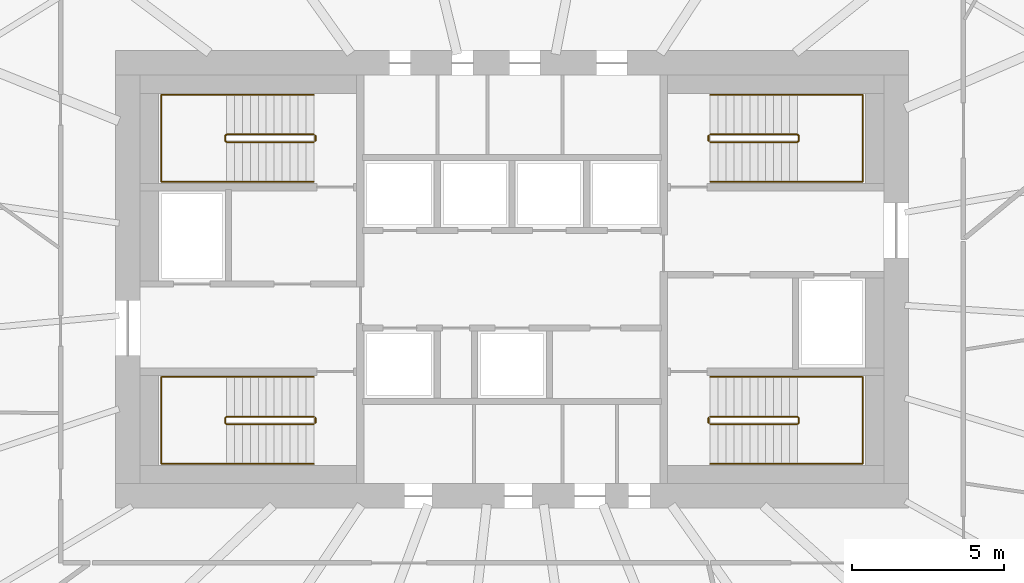
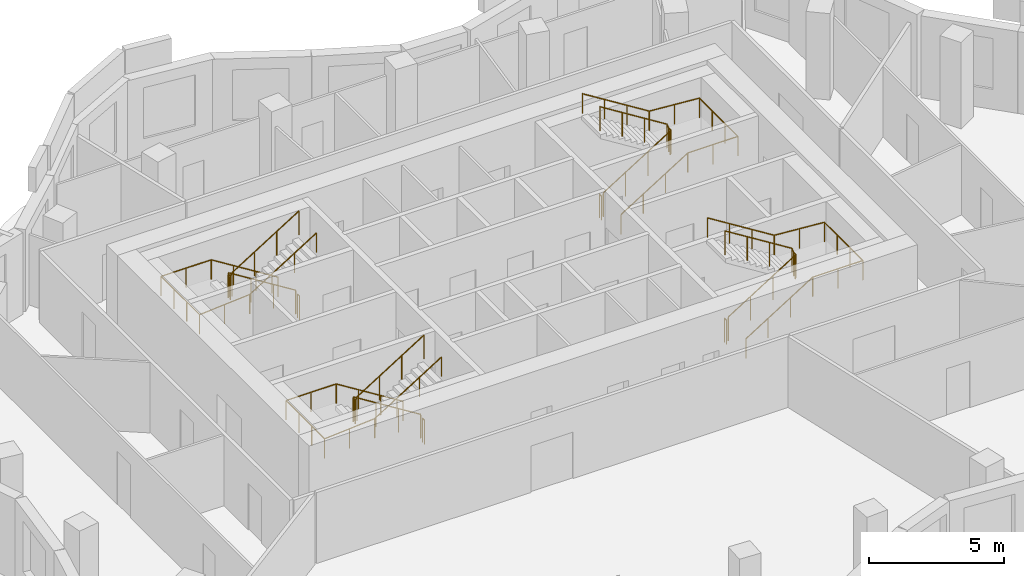
# One storey, part 9 of 9: 12 railings.
"""IFC4 building model written with IfcOpenShell, lengths in metres."""

from ifc_helpers import new_model, si_unit, direction, frame, origin, origin_2d, place, context, subcontext, project, spatial, circle, extrude, material, type_object, element, save


model = new_model("IFC4")

# Units and contexts
model_context = context("Model", 3, precision=1e-05, world=origin(), true_north=direction((0.0, 1.0)))
body_context = subcontext(model_context, "Body", "Model", "MODEL_VIEW")
ifc_project = project(units=[si_unit("LENGTHUNIT", "METRE"), si_unit("AREAUNIT", "SQUARE_METRE"), si_unit("VOLUMEUNIT", "CUBIC_METRE"), si_unit("PLANEANGLEUNIT", "RADIAN"), si_unit("MASSUNIT", "GRAM", prefix="KILO")], contexts=[model_context])

# Site, building, storey
site_placement = place(None, origin())
site = spatial("IfcSite", under=ifc_project, at=site_placement, CompositionType="ELEMENT")
building_placement = place(site_placement, origin())
building = spatial("IfcBuilding", under=site, at=building_placement, Name="Rubra Terraces Tower", CompositionType="ELEMENT")
storey_placement = place(building_placement, frame((0.0, 0.0, 272.699951171875)))
storey = spatial("IfcBuildingStorey", under=building, at=storey_placement, Name="L67", CompositionType="ELEMENT", Elevation=272.699951171875)

# Railings
ifc_material = material(Name="Stainless steel", Category="steel")
railing_type_1 = type_object("IfcRailingType", Name="Core stair guard 1100", PredefinedType="GUARDRAIL", material=ifc_material)
railing_1_placement = place(storey_placement, frame((-6.5, 0.0, 0.16259765625)))
element("IfcRailing", 1, at=railing_1_placement, inside=storey, type_object=railing_type_1, Name="L67 stair S1 guard 1", PredefinedType="GUARDRAIL", context=body_context, shape_type="SweptSolid", body=[
    extrude(circle(Radius=0.02392578125, at=origin_2d()), frame((0.0, 0.0, 1.076171875), z_axis=(-0.848026770018, 0.0, 0.529953391661), x_axis=(0.0, -1.0, 0.0)), (0.0, 0.0, 1.0), 3.37255859375),
    extrude(circle(Radius=0.02392578125, at=origin_2d()), frame((-2.860107421875, 0.0, 2.86328125), z_axis=(-0.705375805398, -0.708833529934, 0.0), x_axis=(0.708833529934, -0.705375805398, 0.0)), (0.0, 0.0, 1.0), 0.070556640625),
    extrude(circle(Radius=0.02392578125, at=origin_2d()), frame((-2.909912109375, -0.050048828125, 2.86328125), z_axis=(0.0, -1.0, 0.0), x_axis=(1.0, 0.0, 0.0)), (0.0, 0.0, 1.0), 0.14990234375),
    extrude(circle(Radius=0.02392578125, at=origin_2d()), frame((-2.909912109375, -0.199951171875, 2.86328125), z_axis=(0.280959487676, -0.282336740067, 0.917250092119), x_axis=(0.708833529934, 0.705375805398, 0.0)), (0.0, 0.0, 1.0), 0.17724609375),
    extrude(circle(Radius=0.02392578125, at=origin_2d()), frame((-2.860107421875, -0.25, 3.02587890625), z_axis=(0.847994237388, 0.0, 0.530005446535), x_axis=(0.0, 1.0, 0.0)), (0.0, 0.0, 1.0), 3.372802734375),
    extrude(circle(Radius=0.02099609375, at=origin_2d()), origin(), (0.0, 0.0, 1.0), 1.052001953125),
    extrude(circle(Radius=0.02099609375, at=origin_2d()), frame((-0.953369140625, 0.0, 0.595703125)), (0.0, 0.0, 1.0), 1.052001953125),
    extrude(circle(Radius=0.02099609375, at=origin_2d()), frame((-1.90673828125, 0.0, 1.191650390625)), (0.0, 0.0, 1.0), 1.052001953125),
    extrude(circle(Radius=0.02099609375, at=origin_2d()), frame((-2.860107421875, 0.0, 1.787353515625)), (0.0, 0.0, 1.0), 1.052001953125),
    extrude(circle(Radius=0.02099609375, at=origin_2d()), frame((-2.909912109375, -0.050048828125, 1.787353515625)), (0.0, 0.0, 1.0), 1.052001953125),
    extrude(circle(Radius=0.02099609375, at=origin_2d()), frame((-2.909912109375, -0.199951171875, 1.787353515625)), (0.0, 0.0, 1.0), 1.052001953125),
    extrude(circle(Radius=0.02099609375, at=origin_2d()), frame((-2.860107421875, -0.25, 1.949951171875)), (0.0, 0.0, 1.0), 1.052001953125),
    extrude(circle(Radius=0.02099609375, at=origin_2d()), frame((-1.90673828125, -0.25, 2.5458984375)), (0.0, 0.0, 1.0), 1.052001953125),
    extrude(circle(Radius=0.02099609375, at=origin_2d()), frame((-0.953369140625, -0.25, 3.1416015625)), (0.0, 0.0, 1.0), 1.052001953125),
    extrude(circle(Radius=0.02099609375, at=origin_2d()), frame((0.0, -0.25, 3.737548828125)), (0.0, 0.0, 1.0), 1.052001953125),
])
railing_2_placement = place(storey_placement, frame((-6.449951171875, -0.050048828125, 0.0)))
element("IfcRailing", 2, at=railing_2_placement, inside=storey, type_object=railing_type_1, Name="L67 stair S1 guard 2", PredefinedType="GUARDRAIL", context=body_context, shape_type="SweptSolid", body=[
    extrude(circle(Radius=0.02392578125, at=origin_2d()), frame((0.0, 0.0, 1.076171875), z_axis=(0.0, -1.0, 0.0), x_axis=(1.0, 0.0, 0.0)), (0.0, 0.0, 1.0), 0.14990234375),
    extrude(circle(Radius=0.02099609375, at=origin_2d()), origin(), (0.0, 0.0, 1.0), 1.052001953125),
    extrude(circle(Radius=0.02099609375, at=origin_2d()), frame((0.0, -0.14990234375, 0.0)), (0.0, 0.0, 1.0), 1.052001953125),
])
railing_3_placement = place(storey_placement, frame((-6.5, 9.25, 0.16259765625)))
element("IfcRailing", 3, at=railing_3_placement, inside=storey, type_object=railing_type_1, Name="L67 stair S2 guard 1", PredefinedType="GUARDRAIL", context=body_context, shape_type="SweptSolid", body=[
    extrude(circle(Radius=0.02392578125, at=origin_2d()), frame((0.0, 0.0, 1.076171875), z_axis=(-0.848026770018, 0.0, 0.529953391661), x_axis=(0.0, -1.0, 0.0)), (0.0, 0.0, 1.0), 3.37255859375),
    extrude(circle(Radius=0.02392578125, at=origin_2d()), frame((-2.860107421875, 0.0, 2.86328125), z_axis=(-0.705375805398, -0.708833529934, 0.0), x_axis=(0.708833529934, -0.705375805398, 0.0)), (0.0, 0.0, 1.0), 0.070556640625),
    extrude(circle(Radius=0.02392578125, at=origin_2d()), frame((-2.909912109375, -0.050048828125, 2.86328125), z_axis=(0.0, -1.0, 0.0), x_axis=(1.0, 0.0, 0.0)), (0.0, 0.0, 1.0), 0.14990234375),
    extrude(circle(Radius=0.02392578125, at=origin_2d()), frame((-2.909912109375, -0.199951171875, 2.86328125), z_axis=(0.280959487676, -0.282336740067, 0.917250092119), x_axis=(0.708833529934, 0.705375805398, 0.0)), (0.0, 0.0, 1.0), 0.17724609375),
    extrude(circle(Radius=0.02392578125, at=origin_2d()), frame((-2.860107421875, -0.25, 3.02587890625), z_axis=(0.847994237388, 0.0, 0.530005446535), x_axis=(0.0, 1.0, 0.0)), (0.0, 0.0, 1.0), 3.372802734375),
    extrude(circle(Radius=0.02099609375, at=origin_2d()), origin(), (0.0, 0.0, 1.0), 1.052001953125),
    extrude(circle(Radius=0.02099609375, at=origin_2d()), frame((-0.953369140625, 0.0, 0.595703125)), (0.0, 0.0, 1.0), 1.052001953125),
    extrude(circle(Radius=0.02099609375, at=origin_2d()), frame((-1.90673828125, 0.0, 1.191650390625)), (0.0, 0.0, 1.0), 1.052001953125),
    extrude(circle(Radius=0.02099609375, at=origin_2d()), frame((-2.860107421875, 0.0, 1.787353515625)), (0.0, 0.0, 1.0), 1.052001953125),
    extrude(circle(Radius=0.02099609375, at=origin_2d()), frame((-2.909912109375, -0.050048828125, 1.787353515625)), (0.0, 0.0, 1.0), 1.052001953125),
    extrude(circle(Radius=0.02099609375, at=origin_2d()), frame((-2.909912109375, -0.199951171875, 1.787353515625)), (0.0, 0.0, 1.0), 1.052001953125),
    extrude(circle(Radius=0.02099609375, at=origin_2d()), frame((-2.860107421875, -0.25, 1.949951171875)), (0.0, 0.0, 1.0), 1.052001953125),
    extrude(circle(Radius=0.02099609375, at=origin_2d()), frame((-1.90673828125, -0.25, 2.5458984375)), (0.0, 0.0, 1.0), 1.052001953125),
    extrude(circle(Radius=0.02099609375, at=origin_2d()), frame((-0.953369140625, -0.25, 3.1416015625)), (0.0, 0.0, 1.0), 1.052001953125),
    extrude(circle(Radius=0.02099609375, at=origin_2d()), frame((0.0, -0.25, 3.737548828125)), (0.0, 0.0, 1.0), 1.052001953125),
])
railing_4_placement = place(storey_placement, frame((-6.449951171875, 9.199951171875, 0.0)))
element("IfcRailing", 4, at=railing_4_placement, inside=storey, type_object=railing_type_1, Name="L67 stair S2 guard 2", PredefinedType="GUARDRAIL", context=body_context, shape_type="SweptSolid", body=[
    extrude(circle(Radius=0.02392578125, at=origin_2d()), frame((0.0, 0.0, 1.076171875), z_axis=(0.0, -1.0, 0.0), x_axis=(1.0, 0.0, 0.0)), (0.0, 0.0, 1.0), 0.14990234375),
    extrude(circle(Radius=0.02099609375, at=origin_2d()), origin(), (0.0, 0.0, 1.0), 1.052001953125),
    extrude(circle(Radius=0.02099609375, at=origin_2d()), frame((0.0, -0.14990234375, 0.0)), (0.0, 0.0, 1.0), 1.052001953125),
])
railing_5_placement = place(storey_placement, frame((6.5, 9.0, 0.16259765625)))
element("IfcRailing", 5, at=railing_5_placement, inside=storey, type_object=railing_type_1, Name="L67 stair S3 guard 1", PredefinedType="GUARDRAIL", context=body_context, shape_type="SweptSolid", body=[
    extrude(circle(Radius=0.02392578125, at=origin_2d()), frame((0.0, 0.0, 1.076171875), z_axis=(0.848026770018, 0.0, 0.529953391661), x_axis=(0.0, 1.0, 0.0)), (0.0, 0.0, 1.0), 3.37255859375),
    extrude(circle(Radius=0.02392578125, at=origin_2d()), frame((2.860107421875, 0.0, 2.86328125), z_axis=(0.705375805398, 0.708833529934, 0.0), x_axis=(-0.708833529934, 0.705375805398, 0.0)), (0.0, 0.0, 1.0), 0.070556640625),
    extrude(circle(Radius=0.02392578125, at=origin_2d()), frame((2.909912109375, 0.050048828125, 2.86328125), z_axis=(0.0, 1.0, 0.0), x_axis=(-1.0, 0.0, 0.0)), (0.0, 0.0, 1.0), 0.14990234375),
    extrude(circle(Radius=0.02392578125, at=origin_2d()), frame((2.909912109375, 0.199951171875, 2.86328125), z_axis=(-0.280959487676, 0.282336740067, 0.917250092119), x_axis=(-0.708833529934, -0.705375805398, 0.0)), (0.0, 0.0, 1.0), 0.17724609375),
    extrude(circle(Radius=0.02392578125, at=origin_2d()), frame((2.860107421875, 0.25, 3.02587890625), z_axis=(-0.847994237388, 0.0, 0.530005446535), x_axis=(0.0, -1.0, 0.0)), (0.0, 0.0, 1.0), 3.372802734375),
    extrude(circle(Radius=0.02099609375, at=origin_2d()), origin(), (0.0, 0.0, 1.0), 1.052001953125),
    extrude(circle(Radius=0.02099609375, at=origin_2d()), frame((0.953369140625, 0.0, 0.595703125)), (0.0, 0.0, 1.0), 1.052001953125),
    extrude(circle(Radius=0.02099609375, at=origin_2d()), frame((1.90673828125, 0.0, 1.191650390625)), (0.0, 0.0, 1.0), 1.052001953125),
    extrude(circle(Radius=0.02099609375, at=origin_2d()), frame((2.860107421875, 0.0, 1.787353515625)), (0.0, 0.0, 1.0), 1.052001953125),
    extrude(circle(Radius=0.02099609375, at=origin_2d()), frame((2.909912109375, 0.050048828125, 1.787353515625)), (0.0, 0.0, 1.0), 1.052001953125),
    extrude(circle(Radius=0.02099609375, at=origin_2d()), frame((2.909912109375, 0.199951171875, 1.787353515625)), (0.0, 0.0, 1.0), 1.052001953125),
    extrude(circle(Radius=0.02099609375, at=origin_2d()), frame((2.860107421875, 0.25, 1.949951171875)), (0.0, 0.0, 1.0), 1.052001953125),
    extrude(circle(Radius=0.02099609375, at=origin_2d()), frame((1.90673828125, 0.25, 2.5458984375)), (0.0, 0.0, 1.0), 1.052001953125),
    extrude(circle(Radius=0.02099609375, at=origin_2d()), frame((0.953369140625, 0.25, 3.1416015625)), (0.0, 0.0, 1.0), 1.052001953125),
    extrude(circle(Radius=0.02099609375, at=origin_2d()), frame((0.0, 0.25, 3.737548828125)), (0.0, 0.0, 1.0), 1.052001953125),
])
railing_6_placement = place(storey_placement, frame((6.449951171875, 9.050048828125, 0.0)))
element("IfcRailing", 6, at=railing_6_placement, inside=storey, type_object=railing_type_1, Name="L67 stair S3 guard 2", PredefinedType="GUARDRAIL", context=body_context, shape_type="SweptSolid", body=[
    extrude(circle(Radius=0.02392578125, at=origin_2d()), frame((0.0, 0.0, 1.076171875), z_axis=(0.0, 1.0, 0.0), x_axis=(-1.0, 0.0, 0.0)), (0.0, 0.0, 1.0), 0.14990234375),
    extrude(circle(Radius=0.02099609375, at=origin_2d()), origin(), (0.0, 0.0, 1.0), 1.052001953125),
    extrude(circle(Radius=0.02099609375, at=origin_2d()), frame((0.0, 0.14990234375, 0.0)), (0.0, 0.0, 1.0), 1.052001953125),
])
railing_7_placement = place(storey_placement, frame((6.5, -0.25, 0.16259765625)))
element("IfcRailing", 7, at=railing_7_placement, inside=storey, type_object=railing_type_1, Name="L67 stair S4 guard 1", PredefinedType="GUARDRAIL", context=body_context, shape_type="SweptSolid", body=[
    extrude(circle(Radius=0.02392578125, at=origin_2d()), frame((0.0, 0.0, 1.076171875), z_axis=(0.848026770018, 0.0, 0.529953391661), x_axis=(0.0, 1.0, 0.0)), (0.0, 0.0, 1.0), 3.37255859375),
    extrude(circle(Radius=0.02392578125, at=origin_2d()), frame((2.860107421875, 0.0, 2.86328125), z_axis=(0.705375805398, 0.708833529934, 0.0), x_axis=(-0.708833529934, 0.705375805398, 0.0)), (0.0, 0.0, 1.0), 0.070556640625),
    extrude(circle(Radius=0.02392578125, at=origin_2d()), frame((2.909912109375, 0.050048828125, 2.86328125), z_axis=(0.0, 1.0, 0.0), x_axis=(-1.0, 0.0, 0.0)), (0.0, 0.0, 1.0), 0.14990234375),
    extrude(circle(Radius=0.02392578125, at=origin_2d()), frame((2.909912109375, 0.199951171875, 2.86328125), z_axis=(-0.280959487676, 0.282336740067, 0.917250092119), x_axis=(-0.708833529934, -0.705375805398, 0.0)), (0.0, 0.0, 1.0), 0.17724609375),
    extrude(circle(Radius=0.02392578125, at=origin_2d()), frame((2.860107421875, 0.25, 3.02587890625), z_axis=(-0.847994237388, 0.0, 0.530005446535), x_axis=(0.0, -1.0, 0.0)), (0.0, 0.0, 1.0), 3.372802734375),
    extrude(circle(Radius=0.02099609375, at=origin_2d()), origin(), (0.0, 0.0, 1.0), 1.052001953125),
    extrude(circle(Radius=0.02099609375, at=origin_2d()), frame((0.953369140625, 0.0, 0.595703125)), (0.0, 0.0, 1.0), 1.052001953125),
    extrude(circle(Radius=0.02099609375, at=origin_2d()), frame((1.90673828125, 0.0, 1.191650390625)), (0.0, 0.0, 1.0), 1.052001953125),
    extrude(circle(Radius=0.02099609375, at=origin_2d()), frame((2.860107421875, 0.0, 1.787353515625)), (0.0, 0.0, 1.0), 1.052001953125),
    extrude(circle(Radius=0.02099609375, at=origin_2d()), frame((2.909912109375, 0.050048828125, 1.787353515625)), (0.0, 0.0, 1.0), 1.052001953125),
    extrude(circle(Radius=0.02099609375, at=origin_2d()), frame((2.909912109375, 0.199951171875, 1.787353515625)), (0.0, 0.0, 1.0), 1.052001953125),
    extrude(circle(Radius=0.02099609375, at=origin_2d()), frame((2.860107421875, 0.25, 1.949951171875)), (0.0, 0.0, 1.0), 1.052001953125),
    extrude(circle(Radius=0.02099609375, at=origin_2d()), frame((1.90673828125, 0.25, 2.5458984375)), (0.0, 0.0, 1.0), 1.052001953125),
    extrude(circle(Radius=0.02099609375, at=origin_2d()), frame((0.953369140625, 0.25, 3.1416015625)), (0.0, 0.0, 1.0), 1.052001953125),
    extrude(circle(Radius=0.02099609375, at=origin_2d()), frame((0.0, 0.25, 3.737548828125)), (0.0, 0.0, 1.0), 1.052001953125),
])
railing_8_placement = place(storey_placement, frame((6.449951171875, -0.199951171875, 0.0)))
element("IfcRailing", 8, at=railing_8_placement, inside=storey, type_object=railing_type_1, Name="L67 stair S4 guard 2", PredefinedType="GUARDRAIL", context=body_context, shape_type="SweptSolid", body=[
    extrude(circle(Radius=0.02392578125, at=origin_2d()), frame((0.0, 0.0, 1.076171875), z_axis=(0.0, 1.0, 0.0), x_axis=(-1.0, 0.0, 0.0)), (0.0, 0.0, 1.0), 0.14990234375),
    extrude(circle(Radius=0.02099609375, at=origin_2d()), origin(), (0.0, 0.0, 1.0), 1.052001953125),
    extrude(circle(Radius=0.02099609375, at=origin_2d()), frame((0.0, 0.14990234375, 0.0)), (0.0, 0.0, 1.0), 1.052001953125),
])
railing_type_2 = type_object("IfcRailingType", Name="Core stair handrail 900", PredefinedType="HANDRAIL", material=ifc_material)
railing_9_placement = place(storey_placement, frame((-6.5, 1.300048828125, 0.16259765625)))
element("IfcRailing", 9, at=railing_9_placement, inside=storey, type_object=railing_type_2, Name="L67 stair S1 handrail 1", PredefinedType="HANDRAIL", context=body_context, shape_type="SweptSolid", body=[
    extrude(circle(Radius=0.02392578125, at=origin_2d()), frame((0.0, 0.0, 0.8759765625), z_axis=(-0.848026770018, 0.0, 0.529953391661), x_axis=(0.0, -1.0, 0.0)), (0.0, 0.0, 1.0), 3.37255859375),
    extrude(circle(Radius=0.02392578125, at=origin_2d()), frame((-2.860107421875, 0.0, 2.6630859375), z_axis=(-1.0, 0.0, 0.0), x_axis=(0.0, -1.0, 0.0)), (0.0, 0.0, 1.0), 2.139892578125),
    extrude(circle(Radius=0.02392578125, at=origin_2d()), frame((-5.0, 0.0, 2.6630859375), z_axis=(0.0, -1.0, 0.0), x_axis=(1.0, 0.0, 0.0)), (0.0, 0.0, 1.0), 2.85009765625),
    extrude(circle(Radius=0.02392578125, at=origin_2d()), frame((-5.0, -2.85009765625, 2.6630859375), z_axis=(0.997125654253, 0.0, 0.075765623016), x_axis=(0.0, 1.0, 0.0)), (0.0, 0.0, 1.0), 2.14599609375),
    extrude(circle(Radius=0.02392578125, at=origin_2d()), frame((-2.860107421875, -2.85009765625, 2.82568359375), z_axis=(0.847994237388, 0.0, 0.530005446535), x_axis=(0.0, 1.0, 0.0)), (0.0, 0.0, 1.0), 3.372802734375),
    extrude(circle(Radius=0.02099609375, at=origin_2d()), origin(), (0.0, 0.0, 1.0), 0.851806640625),
    extrude(circle(Radius=0.02099609375, at=origin_2d()), frame((-0.953369140625, 0.0, 0.595703125)), (0.0, 0.0, 1.0), 0.851806640625),
    extrude(circle(Radius=0.02099609375, at=origin_2d()), frame((-1.90673828125, 0.0, 1.191650390625)), (0.0, 0.0, 1.0), 0.851806640625),
    extrude(circle(Radius=0.02099609375, at=origin_2d()), frame((-2.860107421875, 0.0, 1.787353515625)), (0.0, 0.0, 1.0), 0.851806640625),
    extrude(circle(Radius=0.02099609375, at=origin_2d()), frame((-3.93017578125, 0.0, 1.787353515625)), (0.0, 0.0, 1.0), 0.851806640625),
    extrude(circle(Radius=0.02099609375, at=origin_2d()), frame((-5.0, 0.0, 1.787353515625)), (0.0, 0.0, 1.0), 0.851806640625),
    extrude(circle(Radius=0.02099609375, at=origin_2d()), frame((-5.0, -0.949951171875, 1.787353515625)), (0.0, 0.0, 1.0), 0.851806640625),
    extrude(circle(Radius=0.02099609375, at=origin_2d()), frame((-5.0, -1.900146484375, 1.787353515625)), (0.0, 0.0, 1.0), 0.851806640625),
    extrude(circle(Radius=0.02099609375, at=origin_2d()), frame((-5.0, -2.85009765625, 1.787353515625)), (0.0, 0.0, 1.0), 0.851806640625),
    extrude(circle(Radius=0.02099609375, at=origin_2d()), frame((-3.93017578125, -2.85009765625, 1.86865234375)), (0.0, 0.0, 1.0), 0.851806640625),
    extrude(circle(Radius=0.02099609375, at=origin_2d()), frame((-2.860107421875, -2.85009765625, 1.949951171875)), (0.0, 0.0, 1.0), 0.851806640625),
    extrude(circle(Radius=0.02099609375, at=origin_2d()), frame((-1.90673828125, -2.85009765625, 2.5458984375)), (0.0, 0.0, 1.0), 0.851806640625),
    extrude(circle(Radius=0.02099609375, at=origin_2d()), frame((-0.953369140625, -2.85009765625, 3.1416015625)), (0.0, 0.0, 1.0), 0.851806640625),
    extrude(circle(Radius=0.02099609375, at=origin_2d()), frame((0.0, -2.85009765625, 3.737548828125)), (0.0, 0.0, 1.0), 0.851806640625),
])
railing_10_placement = place(storey_placement, frame((-6.5, 10.550048828125, 0.16259765625)))
element("IfcRailing", 10, at=railing_10_placement, inside=storey, type_object=railing_type_2, Name="L67 stair S2 handrail 1", PredefinedType="HANDRAIL", context=body_context, shape_type="SweptSolid", body=[
    extrude(circle(Radius=0.02392578125, at=origin_2d()), frame((0.0, 0.0, 0.8759765625), z_axis=(-0.848026770018, 0.0, 0.529953391661), x_axis=(0.0, -1.0, 0.0)), (0.0, 0.0, 1.0), 3.37255859375),
    extrude(circle(Radius=0.02392578125, at=origin_2d()), frame((-2.860107421875, 0.0, 2.6630859375), z_axis=(-1.0, 0.0, 0.0), x_axis=(0.0, -1.0, 0.0)), (0.0, 0.0, 1.0), 2.139892578125),
    extrude(circle(Radius=0.02392578125, at=origin_2d()), frame((-5.0, 0.0, 2.6630859375), z_axis=(0.0, -1.0, 0.0), x_axis=(1.0, 0.0, 0.0)), (0.0, 0.0, 1.0), 2.85009765625),
    extrude(circle(Radius=0.02392578125, at=origin_2d()), frame((-5.0, -2.85009765625, 2.6630859375), z_axis=(0.997125654253, 0.0, 0.075765623016), x_axis=(0.0, 1.0, 0.0)), (0.0, 0.0, 1.0), 2.14599609375),
    extrude(circle(Radius=0.02392578125, at=origin_2d()), frame((-2.860107421875, -2.85009765625, 2.82568359375), z_axis=(0.847994237388, 0.0, 0.530005446535), x_axis=(0.0, 1.0, 0.0)), (0.0, 0.0, 1.0), 3.372802734375),
    extrude(circle(Radius=0.02099609375, at=origin_2d()), origin(), (0.0, 0.0, 1.0), 0.851806640625),
    extrude(circle(Radius=0.02099609375, at=origin_2d()), frame((-0.953369140625, 0.0, 0.595703125)), (0.0, 0.0, 1.0), 0.851806640625),
    extrude(circle(Radius=0.02099609375, at=origin_2d()), frame((-1.90673828125, 0.0, 1.191650390625)), (0.0, 0.0, 1.0), 0.851806640625),
    extrude(circle(Radius=0.02099609375, at=origin_2d()), frame((-2.860107421875, 0.0, 1.787353515625)), (0.0, 0.0, 1.0), 0.851806640625),
    extrude(circle(Radius=0.02099609375, at=origin_2d()), frame((-3.93017578125, 0.0, 1.787353515625)), (0.0, 0.0, 1.0), 0.851806640625),
    extrude(circle(Radius=0.02099609375, at=origin_2d()), frame((-5.0, 0.0, 1.787353515625)), (0.0, 0.0, 1.0), 0.851806640625),
    extrude(circle(Radius=0.02099609375, at=origin_2d()), frame((-5.0, -0.949951171875, 1.787353515625)), (0.0, 0.0, 1.0), 0.851806640625),
    extrude(circle(Radius=0.02099609375, at=origin_2d()), frame((-5.0, -1.900146484375, 1.787353515625)), (0.0, 0.0, 1.0), 0.851806640625),
    extrude(circle(Radius=0.02099609375, at=origin_2d()), frame((-5.0, -2.85009765625, 1.787353515625)), (0.0, 0.0, 1.0), 0.851806640625),
    extrude(circle(Radius=0.02099609375, at=origin_2d()), frame((-3.93017578125, -2.85009765625, 1.86865234375)), (0.0, 0.0, 1.0), 0.851806640625),
    extrude(circle(Radius=0.02099609375, at=origin_2d()), frame((-2.860107421875, -2.85009765625, 1.949951171875)), (0.0, 0.0, 1.0), 0.851806640625),
    extrude(circle(Radius=0.02099609375, at=origin_2d()), frame((-1.90673828125, -2.85009765625, 2.5458984375)), (0.0, 0.0, 1.0), 0.851806640625),
    extrude(circle(Radius=0.02099609375, at=origin_2d()), frame((-0.953369140625, -2.85009765625, 3.1416015625)), (0.0, 0.0, 1.0), 0.851806640625),
    extrude(circle(Radius=0.02099609375, at=origin_2d()), frame((0.0, -2.85009765625, 3.737548828125)), (0.0, 0.0, 1.0), 0.851806640625),
])
railing_11_placement = place(storey_placement, frame((6.5, 7.699951171875, 0.16259765625)))
element("IfcRailing", 11, at=railing_11_placement, inside=storey, type_object=railing_type_2, Name="L67 stair S3 handrail 1", PredefinedType="HANDRAIL", context=body_context, shape_type="SweptSolid", body=[
    extrude(circle(Radius=0.02392578125, at=origin_2d()), frame((0.0, 0.0, 0.8759765625), z_axis=(0.848026770018, 0.0, 0.529953391661), x_axis=(0.0, 1.0, 0.0)), (0.0, 0.0, 1.0), 3.37255859375),
    extrude(circle(Radius=0.02392578125, at=origin_2d()), frame((2.860107421875, 0.0, 2.6630859375), z_axis=(1.0, 0.0, 0.0), x_axis=(0.0, 1.0, 0.0)), (0.0, 0.0, 1.0), 2.139892578125),
    extrude(circle(Radius=0.02392578125, at=origin_2d()), frame((5.0, 0.0, 2.6630859375), z_axis=(0.0, 1.0, 0.0), x_axis=(-1.0, 0.0, 0.0)), (0.0, 0.0, 1.0), 2.85009765625),
    extrude(circle(Radius=0.02392578125, at=origin_2d()), frame((5.0, 2.85009765625, 2.6630859375), z_axis=(-0.997125654253, 0.0, 0.075765623016), x_axis=(0.0, -1.0, 0.0)), (0.0, 0.0, 1.0), 2.14599609375),
    extrude(circle(Radius=0.02392578125, at=origin_2d()), frame((2.860107421875, 2.85009765625, 2.82568359375), z_axis=(-0.847994237388, 0.0, 0.530005446535), x_axis=(0.0, -1.0, 0.0)), (0.0, 0.0, 1.0), 3.372802734375),
    extrude(circle(Radius=0.02099609375, at=origin_2d()), origin(), (0.0, 0.0, 1.0), 0.851806640625),
    extrude(circle(Radius=0.02099609375, at=origin_2d()), frame((0.953369140625, 0.0, 0.595703125)), (0.0, 0.0, 1.0), 0.851806640625),
    extrude(circle(Radius=0.02099609375, at=origin_2d()), frame((1.90673828125, 0.0, 1.191650390625)), (0.0, 0.0, 1.0), 0.851806640625),
    extrude(circle(Radius=0.02099609375, at=origin_2d()), frame((2.860107421875, 0.0, 1.787353515625)), (0.0, 0.0, 1.0), 0.851806640625),
    extrude(circle(Radius=0.02099609375, at=origin_2d()), frame((3.93017578125, 0.0, 1.787353515625)), (0.0, 0.0, 1.0), 0.851806640625),
    extrude(circle(Radius=0.02099609375, at=origin_2d()), frame((5.0, 0.0, 1.787353515625)), (0.0, 0.0, 1.0), 0.851806640625),
    extrude(circle(Radius=0.02099609375, at=origin_2d()), frame((5.0, 0.949951171875, 1.787353515625)), (0.0, 0.0, 1.0), 0.851806640625),
    extrude(circle(Radius=0.02099609375, at=origin_2d()), frame((5.0, 1.900146484375, 1.787353515625)), (0.0, 0.0, 1.0), 0.851806640625),
    extrude(circle(Radius=0.02099609375, at=origin_2d()), frame((5.0, 2.85009765625, 1.787353515625)), (0.0, 0.0, 1.0), 0.851806640625),
    extrude(circle(Radius=0.02099609375, at=origin_2d()), frame((3.93017578125, 2.85009765625, 1.86865234375)), (0.0, 0.0, 1.0), 0.851806640625),
    extrude(circle(Radius=0.02099609375, at=origin_2d()), frame((2.860107421875, 2.85009765625, 1.949951171875)), (0.0, 0.0, 1.0), 0.851806640625),
    extrude(circle(Radius=0.02099609375, at=origin_2d()), frame((1.90673828125, 2.85009765625, 2.5458984375)), (0.0, 0.0, 1.0), 0.851806640625),
    extrude(circle(Radius=0.02099609375, at=origin_2d()), frame((0.953369140625, 2.85009765625, 3.1416015625)), (0.0, 0.0, 1.0), 0.851806640625),
    extrude(circle(Radius=0.02099609375, at=origin_2d()), frame((0.0, 2.85009765625, 3.737548828125)), (0.0, 0.0, 1.0), 0.851806640625),
])
railing_12_placement = place(storey_placement, frame((6.5, -1.550048828125, 0.16259765625)))
element("IfcRailing", 12, at=railing_12_placement, inside=storey, type_object=railing_type_2, Name="L67 stair S4 handrail 1", PredefinedType="HANDRAIL", context=body_context, shape_type="SweptSolid", body=[
    extrude(circle(Radius=0.02392578125, at=origin_2d()), frame((0.0, 0.0, 0.8759765625), z_axis=(0.848026770018, 0.0, 0.529953391661), x_axis=(0.0, 1.0, 0.0)), (0.0, 0.0, 1.0), 3.37255859375),
    extrude(circle(Radius=0.02392578125, at=origin_2d()), frame((2.860107421875, 0.0, 2.6630859375), z_axis=(1.0, 0.0, 0.0), x_axis=(0.0, 1.0, 0.0)), (0.0, 0.0, 1.0), 2.139892578125),
    extrude(circle(Radius=0.02392578125, at=origin_2d()), frame((5.0, 0.0, 2.6630859375), z_axis=(0.0, 1.0, 0.0), x_axis=(-1.0, 0.0, 0.0)), (0.0, 0.0, 1.0), 2.85009765625),
    extrude(circle(Radius=0.02392578125, at=origin_2d()), frame((5.0, 2.85009765625, 2.6630859375), z_axis=(-0.997125654253, 0.0, 0.075765623016), x_axis=(0.0, -1.0, 0.0)), (0.0, 0.0, 1.0), 2.14599609375),
    extrude(circle(Radius=0.02392578125, at=origin_2d()), frame((2.860107421875, 2.85009765625, 2.82568359375), z_axis=(-0.847994237388, 0.0, 0.530005446535), x_axis=(0.0, -1.0, 0.0)), (0.0, 0.0, 1.0), 3.372802734375),
    extrude(circle(Radius=0.02099609375, at=origin_2d()), origin(), (0.0, 0.0, 1.0), 0.851806640625),
    extrude(circle(Radius=0.02099609375, at=origin_2d()), frame((0.953369140625, 0.0, 0.595703125)), (0.0, 0.0, 1.0), 0.851806640625),
    extrude(circle(Radius=0.02099609375, at=origin_2d()), frame((1.90673828125, 0.0, 1.191650390625)), (0.0, 0.0, 1.0), 0.851806640625),
    extrude(circle(Radius=0.02099609375, at=origin_2d()), frame((2.860107421875, 0.0, 1.787353515625)), (0.0, 0.0, 1.0), 0.851806640625),
    extrude(circle(Radius=0.02099609375, at=origin_2d()), frame((3.93017578125, 0.0, 1.787353515625)), (0.0, 0.0, 1.0), 0.851806640625),
    extrude(circle(Radius=0.02099609375, at=origin_2d()), frame((5.0, 0.0, 1.787353515625)), (0.0, 0.0, 1.0), 0.851806640625),
    extrude(circle(Radius=0.02099609375, at=origin_2d()), frame((5.0, 0.949951171875, 1.787353515625)), (0.0, 0.0, 1.0), 0.851806640625),
    extrude(circle(Radius=0.02099609375, at=origin_2d()), frame((5.0, 1.900146484375, 1.787353515625)), (0.0, 0.0, 1.0), 0.851806640625),
    extrude(circle(Radius=0.02099609375, at=origin_2d()), frame((5.0, 2.85009765625, 1.787353515625)), (0.0, 0.0, 1.0), 0.851806640625),
    extrude(circle(Radius=0.02099609375, at=origin_2d()), frame((3.93017578125, 2.85009765625, 1.86865234375)), (0.0, 0.0, 1.0), 0.851806640625),
    extrude(circle(Radius=0.02099609375, at=origin_2d()), frame((2.860107421875, 2.85009765625, 1.949951171875)), (0.0, 0.0, 1.0), 0.851806640625),
    extrude(circle(Radius=0.02099609375, at=origin_2d()), frame((1.90673828125, 2.85009765625, 2.5458984375)), (0.0, 0.0, 1.0), 0.851806640625),
    extrude(circle(Radius=0.02099609375, at=origin_2d()), frame((0.953369140625, 2.85009765625, 3.1416015625)), (0.0, 0.0, 1.0), 0.851806640625),
    extrude(circle(Radius=0.02099609375, at=origin_2d()), frame((0.0, 2.85009765625, 3.737548828125)), (0.0, 0.0, 1.0), 0.851806640625),
])

save(model, "model.ifc")
